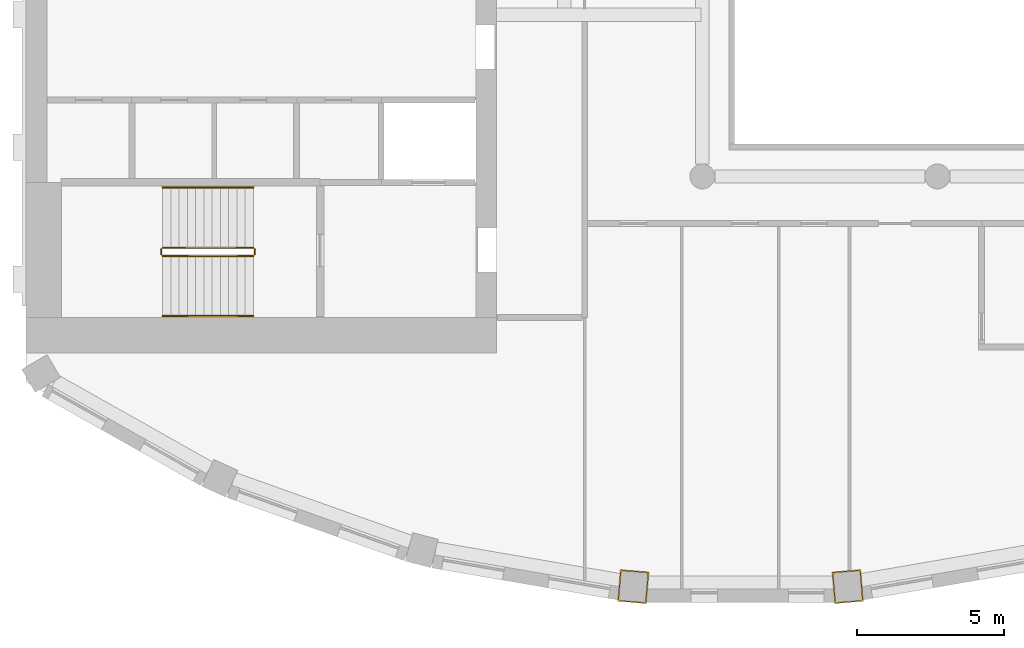
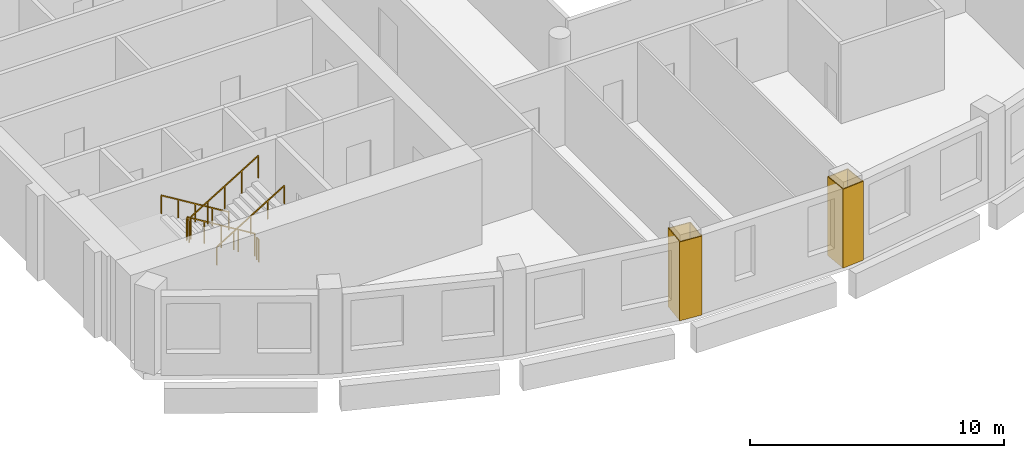
# One storey, part 11 of 15: 6 railings, 2 coverings.
"""IFC4 building model written with IfcOpenShell, lengths in metres."""

from ifc_helpers import new_model, si_unit, direction, frame, origin, origin_2d, place, context, subcontext, project, spatial, polyline, rectangle, outline, extrude, material, layer, layer_set, type_object, element, save


model = new_model("IFC4")

# Units and contexts
model_context = context("Model", 3, precision=1e-05, world=origin(), true_north=direction((0.0, 1.0)))
body_context = subcontext(model_context, "Body", "Model", "MODEL_VIEW")
ifc_project = project(units=[si_unit("LENGTHUNIT", "METRE"), si_unit("AREAUNIT", "SQUARE_METRE"), si_unit("VOLUMEUNIT", "CUBIC_METRE"), si_unit("PLANEANGLEUNIT", "RADIAN"), si_unit("MASSUNIT", "GRAM", prefix="KILO")], contexts=[model_context])

# Site, building, storey
site_placement = place(None, origin())
site = spatial("IfcSite", under=ifc_project, at=site_placement, CompositionType="ELEMENT")
building_placement = place(site_placement, origin())
building = spatial("IfcBuilding", under=site, at=building_placement, Name="Cypress Arch Tower", CompositionType="ELEMENT")
storey_placement = place(building_placement, frame((0.0, 0.0, 292.60009765625)))
storey = spatial("IfcBuildingStorey", under=building, at=storey_placement, Name="L66", CompositionType="ELEMENT", Elevation=292.60009765625)

# Coverings
ifc_material_1 = material(Name="Painted plasterboard column casing")
ifc_layer = layer(ifc_material_1, 0.0400390625)
ifc_layer_set = layer_set([ifc_layer], Name="Column casing CK40")
covering_type = type_object("IfcCoveringType", Name="Column casing CK40", PredefinedType="CLADDING", material=ifc_layer_set)
covering_1_placement = place(storey_placement, origin())
element("IfcCovering", 1, at=covering_1_placement, inside=storey, type_object=covering_type, Name="Column casing L66 CC14", PredefinedType="CLADDING", context=body_context, shape_type="SweptSolid", body=[
    extrude(outline(polyline([(-9.881103515625, -24.44970703125), (-9.789306640625, -23.373779296875), (-8.812744140625, -23.457275390625), (-8.90478515625, -24.533203125), (-9.881103515625, -24.44970703125)]), holes=[polyline([(-9.837890625, -24.413330078125), (-8.941162109375, -24.489990234375), (-8.85595703125, -23.49365234375), (-9.752685546875, -23.4169921875), (-9.837890625, -24.413330078125)])]), origin(), (0.0, 0.0, 1.0), 3.7998046875),
])
covering_2_placement = place(storey_placement, origin())
element("IfcCovering", 2, at=covering_2_placement, inside=storey, type_object=covering_type, Name="Column casing L66 CC15", PredefinedType="CLADDING", context=body_context, shape_type="SweptSolid", body=[
    extrude(outline(polyline([(-2.495361328125, -24.533203125), (-2.587158203125, -23.457275390625), (-1.61083984375, -23.373779296875), (-1.518798828125, -24.44970703125), (-2.495361328125, -24.533203125)]), holes=[polyline([(-2.458740234375, -24.489990234375), (-1.56201171875, -24.413330078125), (-1.647216796875, -23.4169921875), (-2.5439453125, -23.49365234375), (-2.458740234375, -24.489990234375)])]), origin(), (0.0, 0.0, 1.0), 3.7998046875),
])

# Railings
ifc_material_2 = material(Name="Black powder-coated steel square bar 48 mm", Category="steel")
railing_type_1 = type_object("IfcRailingType", Name="Stair handrail HR1", PredefinedType="HANDRAIL", material=ifc_material_2)
railing_1_placement = place(storey_placement, frame((-22.27490234375, -10.375, 0.170654296875)))
element("IfcRailing", 3, at=railing_1_placement, inside=storey, type_object=railing_type_1, Name="L66 A stair handrail 1", PredefinedType="HANDRAIL", context=body_context, shape_type="SweptSolid", body=[
    extrude(rectangle(XDim=0.048095703125, YDim=0.048095703125, at=origin_2d()), frame((0.0, 0.0, 0.8759765625), z_axis=(-0.853666305674, 0.0, 0.52082035152), x_axis=(0.0, -1.0, 0.0)), (0.0, 0.0, 1.0), 3.608154296875),
    extrude(rectangle(XDim=0.0419921875, YDim=0.0419921875, at=origin_2d()), origin(), (0.0, 0.0, 1.0), 0.851806640625),
    extrude(rectangle(XDim=0.0419921875, YDim=0.0419921875, at=origin_2d()), frame((-0.77001953125, 0.0, 0.4697265625)), (0.0, 0.0, 1.0), 0.851806640625),
    extrude(rectangle(XDim=0.0419921875, YDim=0.0419921875, at=origin_2d()), frame((-1.5400390625, 0.0, 0.939453125)), (0.0, 0.0, 1.0), 0.851806640625),
    extrude(rectangle(XDim=0.0419921875, YDim=0.0419921875, at=origin_2d()), frame((-2.31005859375, 0.0, 1.409423828125)), (0.0, 0.0, 1.0), 0.851806640625),
    extrude(rectangle(XDim=0.0419921875, YDim=0.0419921875, at=origin_2d()), frame((-3.080078125, 0.0, 1.879150390625)), (0.0, 0.0, 1.0), 0.851806640625),
])
railing_2_placement = place(storey_placement, frame((-25.35498046875, -14.75, 2.220703125)))
element("IfcRailing", 4, at=railing_2_placement, inside=storey, type_object=railing_type_1, Name="L66 A stair handrail 2", PredefinedType="HANDRAIL", context=body_context, shape_type="SweptSolid", body=[
    extrude(rectangle(XDim=0.048095703125, YDim=0.048095703125, at=origin_2d()), frame((0.0, 0.0, 0.8759765625), z_axis=(0.853666305674, 0.0, 0.52082035152), x_axis=(0.0, 1.0, 0.0)), (0.0, 0.0, 1.0), 3.608154296875),
    extrude(rectangle(XDim=0.0419921875, YDim=0.0419921875, at=origin_2d()), origin(), (0.0, 0.0, 1.0), 0.851806640625),
    extrude(rectangle(XDim=0.0419921875, YDim=0.0419921875, at=origin_2d()), frame((0.77001953125, 0.0, 0.4697265625)), (0.0, 0.0, 1.0), 0.851806640625),
    extrude(rectangle(XDim=0.0419921875, YDim=0.0419921875, at=origin_2d()), frame((1.5400390625, 0.0, 0.939453125)), (0.0, 0.0, 1.0), 0.851806640625),
    extrude(rectangle(XDim=0.0419921875, YDim=0.0419921875, at=origin_2d()), frame((2.31005859375, 0.0, 1.409423828125)), (0.0, 0.0, 1.0), 0.851806640625),
    extrude(rectangle(XDim=0.0419921875, YDim=0.0419921875, at=origin_2d()), frame((3.080078125, 0.0, 1.879150390625)), (0.0, 0.0, 1.0), 0.851806640625),
])
ifc_material_3 = material(Name="Black powder-coated steel balusters", Category="steel")
railing_type_2 = type_object("IfcRailingType", Name="Stair well guard G1", PredefinedType="GUARDRAIL", material=ifc_material_3)
railing_3_placement = place(storey_placement, frame((-22.27490234375, -12.425048828125, 0.170654296875)))
element("IfcRailing", 5, at=railing_3_placement, inside=storey, type_object=railing_type_2, Name="L66 A stair guard 1", PredefinedType="GUARDRAIL", context=body_context, shape_type="SweptSolid", body=[
    extrude(rectangle(XDim=0.048095703125, YDim=0.048095703125, at=origin_2d()), frame((0.0, 0.0, 1.076171875), z_axis=(-0.853666305674, 0.0, 0.52082035152), x_axis=(0.0, -1.0, 0.0)), (0.0, 0.0, 1.0), 3.608154296875),
    extrude(rectangle(XDim=0.0419921875, YDim=0.0419921875, at=origin_2d()), origin(), (0.0, 0.0, 1.0), 1.052001953125),
    extrude(rectangle(XDim=0.0419921875, YDim=0.0419921875, at=origin_2d()), frame((-0.77001953125, 0.0, 0.4697265625)), (0.0, 0.0, 1.0), 1.052001953125),
    extrude(rectangle(XDim=0.0419921875, YDim=0.0419921875, at=origin_2d()), frame((-1.5400390625, 0.0, 0.939453125)), (0.0, 0.0, 1.0), 1.052001953125),
    extrude(rectangle(XDim=0.0419921875, YDim=0.0419921875, at=origin_2d()), frame((-2.31005859375, 0.0, 1.409423828125)), (0.0, 0.0, 1.0), 1.052001953125),
    extrude(rectangle(XDim=0.0419921875, YDim=0.0419921875, at=origin_2d()), frame((-3.080078125, 0.0, 1.879150390625)), (0.0, 0.0, 1.0), 1.052001953125),
])
railing_4_placement = place(storey_placement, frame((-25.405029296875, -12.47509765625, 2.0498046875)))
element("IfcRailing", 6, at=railing_4_placement, inside=storey, type_object=railing_type_2, Name="L66 A stair guard 2", PredefinedType="GUARDRAIL", context=body_context, shape_type="SweptSolid", body=[
    extrude(rectangle(XDim=0.048095703125, YDim=0.048095703125, at=origin_2d()), frame((0.0, 0.0, 1.076171875), z_axis=(0.0, -1.0, 0.0), x_axis=(1.0, 0.0, 0.0)), (0.0, 0.0, 1.0), 0.1748046875),
    extrude(rectangle(XDim=0.0419921875, YDim=0.0419921875, at=origin_2d()), origin(), (0.0, 0.0, 1.0), 1.052001953125),
    extrude(rectangle(XDim=0.0419921875, YDim=0.0419921875, at=origin_2d()), frame((0.0, -0.1748046875, 0.0)), (0.0, 0.0, 1.0), 1.052001953125),
])
railing_5_placement = place(storey_placement, frame((-25.35498046875, -12.699951171875, 2.220703125)))
element("IfcRailing", 7, at=railing_5_placement, inside=storey, type_object=railing_type_2, Name="L66 A stair guard 3", PredefinedType="GUARDRAIL", context=body_context, shape_type="SweptSolid", body=[
    extrude(rectangle(XDim=0.048095703125, YDim=0.048095703125, at=origin_2d()), frame((0.0, 0.0, 1.076171875), z_axis=(0.853666305674, 0.0, 0.52082035152), x_axis=(0.0, 1.0, 0.0)), (0.0, 0.0, 1.0), 3.608154296875),
    extrude(rectangle(XDim=0.0419921875, YDim=0.0419921875, at=origin_2d()), origin(), (0.0, 0.0, 1.0), 1.052001953125),
    extrude(rectangle(XDim=0.0419921875, YDim=0.0419921875, at=origin_2d()), frame((0.77001953125, 0.0, 0.4697265625)), (0.0, 0.0, 1.0), 1.052001953125),
    extrude(rectangle(XDim=0.0419921875, YDim=0.0419921875, at=origin_2d()), frame((1.5400390625, 0.0, 0.939453125)), (0.0, 0.0, 1.0), 1.052001953125),
    extrude(rectangle(XDim=0.0419921875, YDim=0.0419921875, at=origin_2d()), frame((2.31005859375, 0.0, 1.409423828125)), (0.0, 0.0, 1.0), 1.052001953125),
    extrude(rectangle(XDim=0.0419921875, YDim=0.0419921875, at=origin_2d()), frame((3.080078125, 0.0, 1.879150390625)), (0.0, 0.0, 1.0), 1.052001953125),
])
railing_6_placement = place(storey_placement, frame((-22.22509765625, -12.47509765625, 0.0)))
element("IfcRailing", 8, at=railing_6_placement, inside=storey, type_object=railing_type_2, Name="L66 A stair guard 4", PredefinedType="GUARDRAIL", context=body_context, shape_type="SweptSolid", body=[
    extrude(rectangle(XDim=0.048095703125, YDim=0.048095703125, at=origin_2d()), frame((0.0, 0.0, 1.076171875), z_axis=(0.0, -1.0, 0.0), x_axis=(1.0, 0.0, 0.0)), (0.0, 0.0, 1.0), 0.1748046875),
    extrude(rectangle(XDim=0.0419921875, YDim=0.0419921875, at=origin_2d()), origin(), (0.0, 0.0, 1.0), 1.052001953125),
    extrude(rectangle(XDim=0.0419921875, YDim=0.0419921875, at=origin_2d()), frame((0.0, -0.1748046875, 0.0)), (0.0, 0.0, 1.0), 1.052001953125),
])

save(model, "model.ifc")
